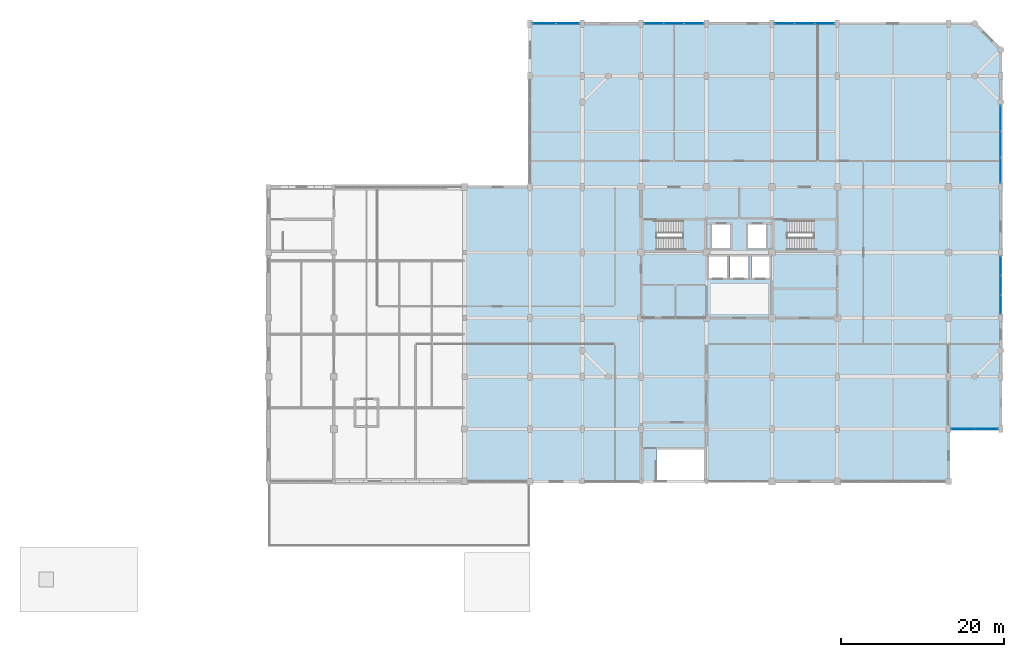
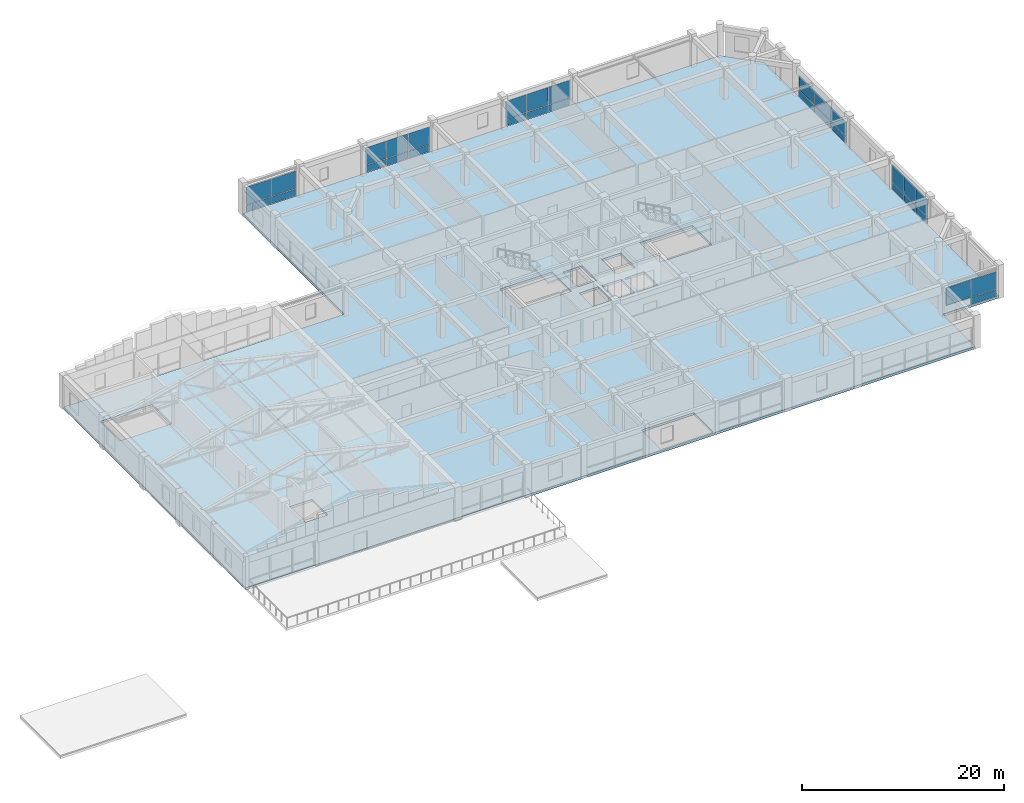
# One storey, part 17 of 27: 31 plates, 3 slabs, 8 elements without a shape of their own.
"""IFC4 building model written with IfcOpenShell, lengths in metres."""

from ifc_helpers import new_model, si_unit, direction, frame, origin, origin_2d, place, context, subcontext, project, spatial, polyline, rectangle, outline, extrude, material, layer, layer_set, type_object, element, aggregate, save


model = new_model("IFC4")

# Units and contexts
model_context = context("Model", 3, precision=1e-05, world=origin(), true_north=direction((0.0, 1.0)))
body_context = subcontext(model_context, "Body", "Model", "MODEL_VIEW")
ifc_project = project(units=[si_unit("LENGTHUNIT", "METRE"), si_unit("AREAUNIT", "SQUARE_METRE"), si_unit("VOLUMEUNIT", "CUBIC_METRE"), si_unit("PLANEANGLEUNIT", "RADIAN"), si_unit("MASSUNIT", "GRAM", prefix="KILO")], contexts=[model_context])

# Site, building, storey
site_placement = place(None, origin())
site = spatial("IfcSite", under=ifc_project, at=site_placement, CompositionType="ELEMENT")
building_placement = place(site_placement, origin())
building = spatial("IfcBuilding", under=site, at=building_placement, Name="Vellmiral Cinema and Media Centre", CompositionType="ELEMENT")
storey_placement = place(building_placement, frame((0.0, 0.0, 19.800048828125)))
storey = spatial("IfcBuildingStorey", under=building, at=storey_placement, Name="L04", CompositionType="ELEMENT", Elevation=19.800048828125)

# Curtain wall, plates
ifc_material_1 = material(Name="Thermally Broken Aluminium and Triple Glazing", Category="aluminium")
curtain_wall_type = type_object("IfcCurtainWallType", Name="CW-TOWER-LOW-S", PredefinedType="USERDEFINED", material=ifc_material_1)
curtain_wall_1_placement = place(storey_placement, origin())
curtain_wall_1 = element("IfcCurtainWall", 1, at=curtain_wall_1_placement, inside=storey, type_object=curtain_wall_type, Name="Curtain Wall L04-B011", ObjectType="UNITISED CURTAIN WALL", PredefinedType="USERDEFINED")
ifc_material_2 = material(Name="Solar-Control Acoustic Triple Glazing", Category="glass")
ifc_layer_1 = layer(ifc_material_2, 0.0419921875, Name="Solar-Control Acoustic Triple Glazing")
ifc_layer_set_1 = layer_set([ifc_layer_1], Name="Solar-Control Acoustic Triple Glazing")
plate_type_1 = type_object("IfcPlateType", Name="CWP-SOLAR-42", PredefinedType="CURTAIN_PANEL", material=ifc_layer_set_1)
plate_1_placement = place(storey_placement, frame((163.3662109375, 65.60009765625, 0.932373046875), z_axis=(0.0, 0.0, 1.0), x_axis=(1.0, 0.0, 0.0)))
plate_1 = element("IfcPlate", 2, at=plate_1_placement, type_object=plate_type_1, Name="CW-06 panel 1.2", PredefinedType="CURTAIN_PANEL", context=body_context, shape_type="SweptSolid", body=[
    extrude(rectangle(XDim=2.802490234375, YDim=0.0419921875, at=origin_2d()), origin(), (0.0, 0.0, 1.0), 2.1025390625),
])
plate_2_placement = place(storey_placement, frame((166.233642578125, 65.60009765625, 0.932373046875), z_axis=(0.0, 0.0, 1.0), x_axis=(1.0, 0.0, 0.0)))
plate_2 = element("IfcPlate", 3, at=plate_2_placement, type_object=plate_type_1, Name="CW-06 panel 2.2", PredefinedType="CURTAIN_PANEL", context=body_context, shape_type="SweptSolid", body=[
    extrude(rectangle(XDim=2.802490234375, YDim=0.0419921875, at=origin_2d()), origin(), (0.0, 0.0, 1.0), 2.1025390625),
])

curtain_wall_2_placement = place(storey_placement, origin())
curtain_wall_2 = element("IfcCurtainWall", 4, at=curtain_wall_2_placement, inside=storey, type_object=curtain_wall_type, Name="Curtain Wall L04-B015", ObjectType="UNITISED CURTAIN WALL", PredefinedType="USERDEFINED")
plate_3_placement = place(storey_placement, frame((168.0, 80.849609375, 0.932373046875), z_axis=(0.0, 0.0, 1.0), x_axis=(0.0, 1.0, 0.0)))
plate_3 = element("IfcPlate", 5, at=plate_3_placement, type_object=plate_type_1, Name="CW-06 panel 1.2", PredefinedType="CURTAIN_PANEL", context=body_context, shape_type="SweptSolid", body=[
    extrude(rectangle(XDim=2.269287109375, YDim=0.0419921875, at=origin_2d()), origin(), (0.0, 0.0, 1.0), 2.1025390625),
])
plate_4_placement = place(storey_placement, frame((168.0, 83.199951171875, 0.932373046875), z_axis=(0.0, 0.0, 1.0), x_axis=(0.0, 1.0, 0.0)))
plate_4 = element("IfcPlate", 6, at=plate_4_placement, type_object=plate_type_1, Name="CW-06 panel 2.2", PredefinedType="CURTAIN_PANEL", context=body_context, shape_type="SweptSolid", body=[
    extrude(rectangle(XDim=2.3017578125, YDim=0.0419921875, at=origin_2d()), origin(), (0.0, 0.0, 1.0), 2.1025390625),
])
plate_5_placement = place(storey_placement, frame((168.0, 85.550537109375, 0.932373046875), z_axis=(0.0, 0.0, 1.0), x_axis=(0.0, 1.0, 0.0)))
plate_5 = element("IfcPlate", 7, at=plate_5_placement, type_object=plate_type_1, Name="CW-06 panel 3.2", PredefinedType="CURTAIN_PANEL", context=body_context, shape_type="SweptSolid", body=[
    extrude(rectangle(XDim=2.269287109375, YDim=0.0419921875, at=origin_2d()), origin(), (0.0, 0.0, 1.0), 2.1025390625),
])

curtain_wall_3_placement = place(storey_placement, origin())
curtain_wall_3 = element("IfcCurtainWall", 8, at=curtain_wall_3_placement, inside=storey, type_object=curtain_wall_type, Name="Curtain Wall L04-B017", ObjectType="UNITISED CURTAIN WALL", PredefinedType="USERDEFINED")
plate_6_placement = place(storey_placement, frame((168.0, 97.2578125, 0.932373046875), z_axis=(0.0, 0.0, 1.0), x_axis=(0.0, 1.0, 0.0)))
plate_6 = element("IfcPlate", 9, at=plate_6_placement, type_object=plate_type_1, Name="CW-06 panel 1.2", PredefinedType="CURTAIN_PANEL", context=body_context, shape_type="SweptSolid", body=[
    extrude(rectangle(XDim=3.0859375, YDim=0.0419921875, at=origin_2d()), origin(), (0.0, 0.0, 1.0), 1.6875),
])
plate_7_placement = place(storey_placement, frame((168.0, 100.425048828125, 0.932373046875), z_axis=(0.0, 0.0, 1.0), x_axis=(0.0, 1.0, 0.0)))
plate_7 = element("IfcPlate", 10, at=plate_7_placement, type_object=plate_type_1, Name="CW-06 panel 2.2", PredefinedType="CURTAIN_PANEL", context=body_context, shape_type="SweptSolid", body=[
    extrude(rectangle(XDim=3.118408203125, YDim=0.0419921875, at=origin_2d()), origin(), (0.0, 0.0, 1.0), 1.6875),
])
plate_8_placement = place(storey_placement, frame((168.0, 103.592041015625, 0.932373046875), z_axis=(0.0, 0.0, 1.0), x_axis=(0.0, 1.0, 0.0)))
plate_8 = element("IfcPlate", 11, at=plate_8_placement, type_object=plate_type_1, Name="CW-06 panel 3.2", PredefinedType="CURTAIN_PANEL", context=body_context, shape_type="SweptSolid", body=[
    extrude(rectangle(XDim=3.0859375, YDim=0.0419921875, at=origin_2d()), origin(), (0.0, 0.0, 1.0), 1.6875),
])

curtain_wall_4_placement = place(storey_placement, origin())
curtain_wall_4 = element("IfcCurtainWall", 12, at=curtain_wall_4_placement, inside=storey, type_object=curtain_wall_type, Name="Curtain Wall L04-B023", ObjectType="UNITISED CURTAIN WALL", PredefinedType="USERDEFINED")
plate_9_placement = place(storey_placement, frame((146.450439453125, 115.199951171875, 0.932373046875), z_axis=(0.0, 0.0, 1.0), x_axis=(-1.0, 0.0, 0.0)))
plate_9 = element("IfcPlate", 13, at=plate_9_placement, type_object=plate_type_1, Name="CW-06 panel 1.2", PredefinedType="CURTAIN_PANEL", context=body_context, shape_type="SweptSolid", body=[
    extrude(rectangle(XDim=2.369140625, YDim=0.0419921875, at=origin_2d()), origin(), (0.0, 0.0, 1.0), 2.1025390625),
])
plate_10_placement = place(storey_placement, frame((144.0, 115.199951171875, 0.932373046875), z_axis=(0.0, 0.0, 1.0), x_axis=(-1.0, 0.0, 0.0)))
plate_10 = element("IfcPlate", 14, at=plate_10_placement, type_object=plate_type_1, Name="CW-06 panel 2.2", PredefinedType="CURTAIN_PANEL", context=body_context, shape_type="SweptSolid", body=[
    extrude(rectangle(XDim=2.401611328125, YDim=0.0419921875, at=origin_2d()), origin(), (0.0, 0.0, 1.0), 2.1025390625),
])
plate_11_placement = place(storey_placement, frame((141.549560546875, 115.199951171875, 0.932373046875), z_axis=(0.0, 0.0, 1.0), x_axis=(-1.0, 0.0, 0.0)))
plate_11 = element("IfcPlate", 15, at=plate_11_placement, type_object=plate_type_1, Name="CW-06 panel 3.2", PredefinedType="CURTAIN_PANEL", context=body_context, shape_type="SweptSolid", body=[
    extrude(rectangle(XDim=2.369140625, YDim=0.0419921875, at=origin_2d()), origin(), (0.0, 0.0, 1.0), 2.1025390625),
])

curtain_wall_5_placement = place(storey_placement, origin())
curtain_wall_5 = element("IfcCurtainWall", 16, at=curtain_wall_5_placement, inside=storey, type_object=curtain_wall_type, Name="Curtain Wall L04-B025", ObjectType="UNITISED CURTAIN WALL", PredefinedType="USERDEFINED")
plate_12_placement = place(storey_placement, frame((130.450439453125, 115.199951171875, 0.932373046875), z_axis=(0.0, 0.0, 1.0), x_axis=(-1.0, 0.0, 0.0)))
plate_12 = element("IfcPlate", 17, at=plate_12_placement, type_object=plate_type_1, Name="CW-06 panel 1.2", PredefinedType="CURTAIN_PANEL", context=body_context, shape_type="SweptSolid", body=[
    extrude(rectangle(XDim=2.369140625, YDim=0.0419921875, at=origin_2d()), origin(), (0.0, 0.0, 1.0), 2.1025390625),
])
plate_13_placement = place(storey_placement, frame((128.0, 115.199951171875, 0.932373046875), z_axis=(0.0, 0.0, 1.0), x_axis=(-1.0, 0.0, 0.0)))
plate_13 = element("IfcPlate", 18, at=plate_13_placement, type_object=plate_type_1, Name="CW-06 panel 2.2", PredefinedType="CURTAIN_PANEL", context=body_context, shape_type="SweptSolid", body=[
    extrude(rectangle(XDim=2.401611328125, YDim=0.0419921875, at=origin_2d()), origin(), (0.0, 0.0, 1.0), 2.1025390625),
])
plate_14_placement = place(storey_placement, frame((125.549560546875, 115.199951171875, 0.932373046875), z_axis=(0.0, 0.0, 1.0), x_axis=(-1.0, 0.0, 0.0)))
plate_14 = element("IfcPlate", 19, at=plate_14_placement, type_object=plate_type_1, Name="CW-06 panel 3.2", PredefinedType="CURTAIN_PANEL", context=body_context, shape_type="SweptSolid", body=[
    extrude(rectangle(XDim=2.369140625, YDim=0.0419921875, at=origin_2d()), origin(), (0.0, 0.0, 1.0), 2.1025390625),
])

curtain_wall_6_placement = place(storey_placement, origin())
curtain_wall_6 = element("IfcCurtainWall", 20, at=curtain_wall_6_placement, inside=storey, type_object=curtain_wall_type, Name="Curtain Wall L04-B027", ObjectType="UNITISED CURTAIN WALL", PredefinedType="USERDEFINED")
plate_15_placement = place(storey_placement, frame((115.03369140625, 115.199951171875, 0.932373046875), z_axis=(0.0, 0.0, 1.0), x_axis=(-1.0, 0.0, 0.0)))
plate_15 = element("IfcPlate", 21, at=plate_15_placement, type_object=plate_type_1, Name="CW-06 panel 1.2", PredefinedType="CURTAIN_PANEL", context=body_context, shape_type="SweptSolid", body=[
    extrude(rectangle(XDim=2.802490234375, YDim=0.0419921875, at=origin_2d()), origin(), (0.0, 0.0, 1.0), 2.1025390625),
])
plate_16_placement = place(storey_placement, frame((112.166259765625, 115.199951171875, 0.932373046875), z_axis=(0.0, 0.0, 1.0), x_axis=(-1.0, 0.0, 0.0)))
plate_16 = element("IfcPlate", 22, at=plate_16_placement, type_object=plate_type_1, Name="CW-06 panel 2.2", PredefinedType="CURTAIN_PANEL", context=body_context, shape_type="SweptSolid", body=[
    extrude(rectangle(XDim=2.802490234375, YDim=0.0419921875, at=origin_2d()), origin(), (0.0, 0.0, 1.0), 2.1025390625),
])

# Plate
ifc_material_3 = material(Name="Polychrome Trencadis Ceramic Spandrel Panel", Category="ceramic")
ifc_layer_2 = layer(ifc_material_3, 0.052001953125, Name="Polychrome Trencadis Ceramic Spandrel Panel")
ifc_layer_set_2 = layer_set([ifc_layer_2], Name="Polychrome Trencadis Ceramic Spandrel Panel")
plate_type_2 = type_object("IfcPlateType", Name="CWP-TRENC-52", PredefinedType="CURTAIN_PANEL", material=ifc_layer_set_2)
plate_17_placement = place(storey_placement, frame((166.233642578125, 65.60009765625, 0.06494140625), z_axis=(0.0, 0.0, 1.0), x_axis=(1.0, 0.0, 0.0)))
plate_17 = element("IfcPlate", 23, at=plate_17_placement, type_object=plate_type_2, Name="CW-06 panel 2.1", PredefinedType="CURTAIN_PANEL", context=body_context, shape_type="SweptSolid", body=[
    extrude(rectangle(XDim=2.802490234375, YDim=0.052001953125, at=origin_2d()), origin(), (0.0, 0.0, 1.0), 0.802490234375),
])

aggregate(curtain_wall_1, [plate_1, plate_17, plate_2])

plate_18_placement = place(storey_placement, frame((168.0, 80.849609375, 0.06494140625), z_axis=(0.0, 0.0, 1.0), x_axis=(0.0, 1.0, 0.0)))
plate_18 = element("IfcPlate", 24, at=plate_18_placement, type_object=plate_type_2, Name="CW-06 panel 1.1", PredefinedType="CURTAIN_PANEL", context=body_context, shape_type="SweptSolid", body=[
    extrude(rectangle(XDim=2.269287109375, YDim=0.052001953125, at=origin_2d()), origin(), (0.0, 0.0, 1.0), 0.802490234375),
])

plate_19_placement = place(storey_placement, frame((168.0, 83.199951171875, 0.06494140625), z_axis=(0.0, 0.0, 1.0), x_axis=(0.0, 1.0, 0.0)))
plate_19 = element("IfcPlate", 25, at=plate_19_placement, type_object=plate_type_2, Name="CW-06 panel 2.1", PredefinedType="CURTAIN_PANEL", context=body_context, shape_type="SweptSolid", body=[
    extrude(rectangle(XDim=2.3017578125, YDim=0.052001953125, at=origin_2d()), origin(), (0.0, 0.0, 1.0), 0.802490234375),
])

plate_20_placement = place(storey_placement, frame((168.0, 85.550537109375, 0.06494140625), z_axis=(0.0, 0.0, 1.0), x_axis=(0.0, 1.0, 0.0)))
plate_20 = element("IfcPlate", 26, at=plate_20_placement, type_object=plate_type_2, Name="CW-06 panel 3.1", PredefinedType="CURTAIN_PANEL", context=body_context, shape_type="SweptSolid", body=[
    extrude(rectangle(XDim=2.269287109375, YDim=0.052001953125, at=origin_2d()), origin(), (0.0, 0.0, 1.0), 0.802490234375),
])

aggregate(curtain_wall_2, [plate_18, plate_3, plate_19, plate_4, plate_20, plate_5])

plate_21_placement = place(storey_placement, frame((168.0, 97.2578125, 0.06494140625), z_axis=(0.0, 0.0, 1.0), x_axis=(0.0, 1.0, 0.0)))
plate_21 = element("IfcPlate", 27, at=plate_21_placement, type_object=plate_type_2, Name="CW-06 panel 1.1", PredefinedType="CURTAIN_PANEL", context=body_context, shape_type="SweptSolid", body=[
    extrude(rectangle(XDim=3.0859375, YDim=0.052001953125, at=origin_2d()), origin(), (0.0, 0.0, 1.0), 0.802490234375),
])

plate_22_placement = place(storey_placement, frame((168.0, 100.425048828125, 0.06494140625), z_axis=(0.0, 0.0, 1.0), x_axis=(0.0, 1.0, 0.0)))
plate_22 = element("IfcPlate", 28, at=plate_22_placement, type_object=plate_type_2, Name="CW-06 panel 2.1", PredefinedType="CURTAIN_PANEL", context=body_context, shape_type="SweptSolid", body=[
    extrude(rectangle(XDim=3.118408203125, YDim=0.052001953125, at=origin_2d()), origin(), (0.0, 0.0, 1.0), 0.802490234375),
])

plate_23_placement = place(storey_placement, frame((168.0, 103.592041015625, 0.06494140625), z_axis=(0.0, 0.0, 1.0), x_axis=(0.0, 1.0, 0.0)))
plate_23 = element("IfcPlate", 29, at=plate_23_placement, type_object=plate_type_2, Name="CW-06 panel 3.1", PredefinedType="CURTAIN_PANEL", context=body_context, shape_type="SweptSolid", body=[
    extrude(rectangle(XDim=3.0859375, YDim=0.052001953125, at=origin_2d()), origin(), (0.0, 0.0, 1.0), 0.802490234375),
])

aggregate(curtain_wall_3, [plate_21, plate_6, plate_22, plate_7, plate_23, plate_8])

plate_24_placement = place(storey_placement, frame((146.450439453125, 115.199951171875, 0.06494140625), z_axis=(0.0, 0.0, 1.0), x_axis=(-1.0, 0.0, 0.0)))
plate_24 = element("IfcPlate", 30, at=plate_24_placement, type_object=plate_type_2, Name="CW-06 panel 1.1", PredefinedType="CURTAIN_PANEL", context=body_context, shape_type="SweptSolid", body=[
    extrude(rectangle(XDim=2.369140625, YDim=0.052001953125, at=origin_2d()), origin(), (0.0, 0.0, 1.0), 0.802490234375),
])

plate_25_placement = place(storey_placement, frame((144.0, 115.199951171875, 0.06494140625), z_axis=(0.0, 0.0, 1.0), x_axis=(-1.0, 0.0, 0.0)))
plate_25 = element("IfcPlate", 31, at=plate_25_placement, type_object=plate_type_2, Name="CW-06 panel 2.1", PredefinedType="CURTAIN_PANEL", context=body_context, shape_type="SweptSolid", body=[
    extrude(rectangle(XDim=2.401611328125, YDim=0.052001953125, at=origin_2d()), origin(), (0.0, 0.0, 1.0), 0.802490234375),
])

plate_26_placement = place(storey_placement, frame((141.549560546875, 115.199951171875, 0.06494140625), z_axis=(0.0, 0.0, 1.0), x_axis=(-1.0, 0.0, 0.0)))
plate_26 = element("IfcPlate", 32, at=plate_26_placement, type_object=plate_type_2, Name="CW-06 panel 3.1", PredefinedType="CURTAIN_PANEL", context=body_context, shape_type="SweptSolid", body=[
    extrude(rectangle(XDim=2.369140625, YDim=0.052001953125, at=origin_2d()), origin(), (0.0, 0.0, 1.0), 0.802490234375),
])

aggregate(curtain_wall_4, [plate_24, plate_9, plate_25, plate_10, plate_26, plate_11])

plate_27_placement = place(storey_placement, frame((130.450439453125, 115.199951171875, 0.06494140625), z_axis=(0.0, 0.0, 1.0), x_axis=(-1.0, 0.0, 0.0)))
plate_27 = element("IfcPlate", 33, at=plate_27_placement, type_object=plate_type_2, Name="CW-06 panel 1.1", PredefinedType="CURTAIN_PANEL", context=body_context, shape_type="SweptSolid", body=[
    extrude(rectangle(XDim=2.369140625, YDim=0.052001953125, at=origin_2d()), origin(), (0.0, 0.0, 1.0), 0.802490234375),
])

plate_28_placement = place(storey_placement, frame((128.0, 115.199951171875, 0.06494140625), z_axis=(0.0, 0.0, 1.0), x_axis=(-1.0, 0.0, 0.0)))
plate_28 = element("IfcPlate", 34, at=plate_28_placement, type_object=plate_type_2, Name="CW-06 panel 2.1", PredefinedType="CURTAIN_PANEL", context=body_context, shape_type="SweptSolid", body=[
    extrude(rectangle(XDim=2.401611328125, YDim=0.052001953125, at=origin_2d()), origin(), (0.0, 0.0, 1.0), 0.802490234375),
])

plate_29_placement = place(storey_placement, frame((125.549560546875, 115.199951171875, 0.06494140625), z_axis=(0.0, 0.0, 1.0), x_axis=(-1.0, 0.0, 0.0)))
plate_29 = element("IfcPlate", 35, at=plate_29_placement, type_object=plate_type_2, Name="CW-06 panel 3.1", PredefinedType="CURTAIN_PANEL", context=body_context, shape_type="SweptSolid", body=[
    extrude(rectangle(XDim=2.369140625, YDim=0.052001953125, at=origin_2d()), origin(), (0.0, 0.0, 1.0), 0.802490234375),
])

aggregate(curtain_wall_5, [plate_27, plate_12, plate_28, plate_13, plate_29, plate_14])

plate_30_placement = place(storey_placement, frame((115.03369140625, 115.199951171875, 0.06494140625), z_axis=(0.0, 0.0, 1.0), x_axis=(-1.0, 0.0, 0.0)))
plate_30 = element("IfcPlate", 36, at=plate_30_placement, type_object=plate_type_2, Name="CW-06 panel 1.1", PredefinedType="CURTAIN_PANEL", context=body_context, shape_type="SweptSolid", body=[
    extrude(rectangle(XDim=2.802490234375, YDim=0.052001953125, at=origin_2d()), origin(), (0.0, 0.0, 1.0), 0.802490234375),
])

plate_31_placement = place(storey_placement, frame((112.166259765625, 115.199951171875, 0.06494140625), z_axis=(0.0, 0.0, 1.0), x_axis=(-1.0, 0.0, 0.0)))
plate_31 = element("IfcPlate", 37, at=plate_31_placement, type_object=plate_type_2, Name="CW-06 panel 2.1", PredefinedType="CURTAIN_PANEL", context=body_context, shape_type="SweptSolid", body=[
    extrude(rectangle(XDim=2.802490234375, YDim=0.052001953125, at=origin_2d()), origin(), (0.0, 0.0, 1.0), 0.802490234375),
])

aggregate(curtain_wall_6, [plate_30, plate_15, plate_31, plate_16])

# Slab
ifc_material_4 = material(Name="Concrete C40/50", Category="concrete")
ifc_layer_3 = layer(ifc_material_4, 0.280029296875, Name="Concrete C40/50")
ifc_layer_set_3 = layer_set([ifc_layer_3], Name="Concrete C40/50")
slab_type_1 = type_object("IfcSlabType", Name="SLB-FLR-280", PredefinedType="FLOOR", material=ifc_layer_set_3)
slab_1_placement = place(storey_placement, frame((0.0, 0.0, -0.280029296875)))
element("IfcSlab", 38, at=slab_1_placement, inside=storey, type_object=slab_type_1, Name="L04 Structural Slab", PredefinedType="FLOOR", context=body_context, shape_type="SweptSolid", body=[
    extrude(outline(polyline([(78.39990234375, 59.199951171875), (161.60009765625, 59.199951171875), (161.60009765625, 65.60009765625), (168.0, 65.60009765625), (168.0, 112.0), (164.800048828125, 115.199951171875), (110.39990234375, 115.199951171875), (110.39990234375, 95.199951171875), (78.39990234375, 95.199951171875), (78.39990234375, 59.199951171875)]), holes=[polyline([(80.25, 87.3798828125), (86.219970703125, 87.3798828125), (86.219970703125, 91.219970703125), (80.25, 91.219970703125), (80.25, 87.3798828125)]), polyline([(125.85009765625, 59.3798828125), (131.820068359375, 59.3798828125), (131.820068359375, 63.219970703125), (125.85009765625, 63.219970703125), (125.85009765625, 59.3798828125)]), polyline([(125.85009765625, 87.3798828125), (131.820068359375, 87.3798828125), (131.820068359375, 91.219970703125), (125.85009765625, 91.219970703125), (125.85009765625, 87.3798828125)]), polyline([(141.85009765625, 87.3798828125), (147.820068359375, 87.3798828125), (147.820068359375, 91.219970703125), (141.85009765625, 91.219970703125), (141.85009765625, 87.3798828125)]), polyline([(132.699951171875, 87.75), (134.89990234375, 87.75), (134.89990234375, 90.64990234375), (132.699951171875, 90.64990234375), (132.699951171875, 87.75)]), polyline([(137.10009765625, 87.75), (139.300048828125, 87.75), (139.300048828125, 90.64990234375), (137.10009765625, 90.64990234375), (137.10009765625, 87.75)]), polyline([(132.300048828125, 84.10009765625), (134.5, 84.10009765625), (134.5, 86.699951171875), (132.300048828125, 86.699951171875), (132.300048828125, 84.10009765625)]), polyline([(134.89990234375, 84.10009765625), (137.10009765625, 84.10009765625), (137.10009765625, 86.699951171875), (134.89990234375, 86.699951171875), (134.89990234375, 84.10009765625)]), polyline([(137.5, 84.10009765625), (139.699951171875, 84.10009765625), (139.699951171875, 86.699951171875), (137.5, 86.699951171875), (137.5, 84.10009765625)]), polyline([(89.10009765625, 66.050048828125), (91.699951171875, 66.050048828125), (91.699951171875, 69.14990234375), (89.10009765625, 69.14990234375), (89.10009765625, 66.050048828125)])]), origin(), (0.0, 0.0, 1.0), 0.280029296875),
])

# Stair, slab
ifc_material_5 = material(Name="Concrete C40/50", Category="concrete")
stair_type = type_object("IfcStairType", Name="ST-2RET-400", PredefinedType="HALF_TURN_STAIR", material=ifc_material_5)
stair_1_placement = place(storey_placement, origin())
stair_1 = element("IfcStair", 39, at=stair_1_placement, inside=storey, type_object=stair_type, Name="Protected Escape Stair ST-T1 (L04)", PredefinedType="HALF_TURN_STAIR")
ifc_material_6 = material(Name="Concrete C40/50", Category="concrete")
ifc_layer_4 = layer(ifc_material_6, 0.219970703125, Name="Concrete C40/50")
ifc_layer_set_4 = layer_set([ifc_layer_4], Name="Concrete C40/50")
slab_type_2 = type_object("IfcSlabType", Name="SLB-LAND-220", PredefinedType="LANDING", material=ifc_layer_set_4)
slab_2_placement = place(storey_placement, frame((0.0, 0.0, 1.780029296875)))
slab_2 = element("IfcSlab", 40, at=slab_2_placement, type_object=slab_type_2, Name="ST-T1 landing 1", PredefinedType="LANDING", context=body_context, shape_type="SweptSolid", body=[
    extrude(outline(polyline([(129.14990234375, 87.3798828125), (131.820068359375, 87.3798828125), (131.820068359375, 91.219970703125), (129.14990234375, 91.219970703125), (129.14990234375, 87.3798828125)])), origin(), (0.0, 0.0, 1.0), 0.219970703125),
])
aggregate(stair_1, [slab_2])

stair_2_placement = place(storey_placement, origin())
stair_2 = element("IfcStair", 41, at=stair_2_placement, inside=storey, type_object=stair_type, Name="Protected Escape Stair ST-T2 (L04)", PredefinedType="HALF_TURN_STAIR")
slab_3_placement = place(storey_placement, frame((0.0, 0.0, 1.780029296875)))
slab_3 = element("IfcSlab", 42, at=slab_3_placement, type_object=slab_type_2, Name="ST-T2 landing 1", PredefinedType="LANDING", context=body_context, shape_type="SweptSolid", body=[
    extrude(outline(polyline([(145.14990234375, 87.3798828125), (147.820068359375, 87.3798828125), (147.820068359375, 91.219970703125), (145.14990234375, 91.219970703125), (145.14990234375, 87.3798828125)])), origin(), (0.0, 0.0, 1.0), 0.219970703125),
])
aggregate(stair_2, [slab_3])

save(model, "model.ifc")
